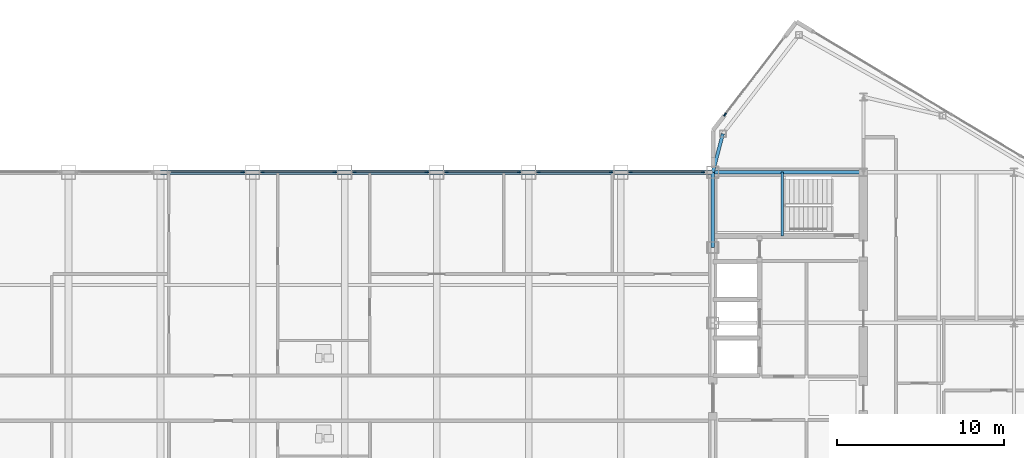
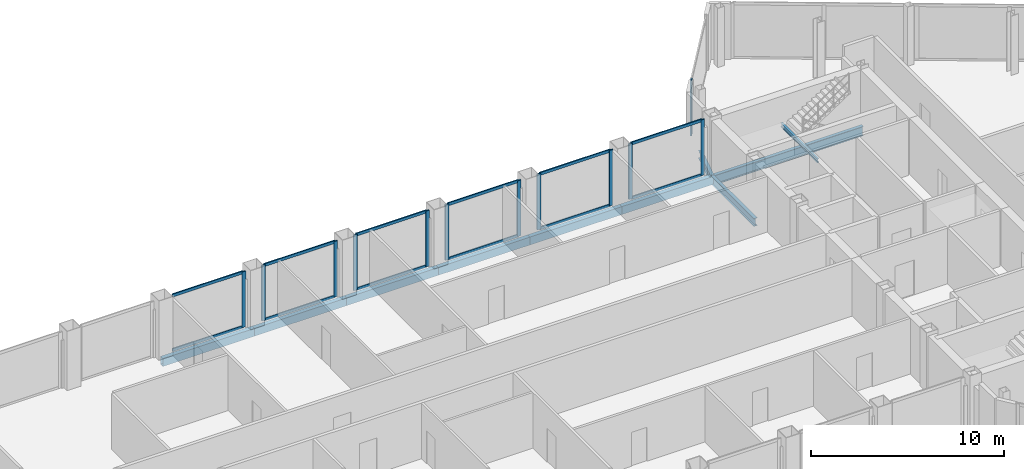
# One storey, part 16 of 29: 24 members, 10 beams, 7 elements without a shape of their own.
"""IFC4 building model written with IfcOpenShell, lengths in metres."""

from ifc_helpers import new_model, si_unit, direction, frame, origin, origin_2d, place, context, subcontext, project, spatial, rectangle, hollow_rectangle, i_section, extrude, source, transform, mapped, material, layer, layer_set, material_profile, profile_set, type_object, type_shapes, element, aggregate, save


model = new_model("IFC4")

# Units and contexts
model_context = context("Model", 3, precision=1e-05, world=origin(), true_north=direction((0.0, 1.0)))
body_context = subcontext(model_context, "Body", "Model", "MODEL_VIEW")
ifc_project = project(units=[si_unit("LENGTHUNIT", "METRE"), si_unit("AREAUNIT", "SQUARE_METRE"), si_unit("VOLUMEUNIT", "CUBIC_METRE"), si_unit("PLANEANGLEUNIT", "RADIAN"), si_unit("MASSUNIT", "GRAM", prefix="KILO")], contexts=[model_context])

# Site, building, storey
site_placement = place(None, origin())
site = spatial("IfcSite", under=ifc_project, at=site_placement, CompositionType="ELEMENT")
building_placement = place(site_placement, origin())
building = spatial("IfcBuilding", under=site, at=building_placement, Name="Seokmaru Belvedere", CompositionType="ELEMENT")
storey_placement = place(building_placement, frame((0.0, 0.0, 246.89990234375)))
storey = spatial("IfcBuildingStorey", under=building, at=storey_placement, Name="L65", CompositionType="ELEMENT", Elevation=246.89990234375)

# Beams
ifc_material_1 = material(Name="Steel SM355 (355 MPa)", Category="steel")
ifc_material_profile_1 = material_profile(ifc_material_1, i_section(OverallWidth=0.199951171875, OverallDepth=0.5, WebThickness=0.010009765625, FlangeThickness=0.01611328125, at=origin_2d()), Name="H-500x200x10x16")
ifc_profile_set_1 = profile_set([ifc_material_profile_1], Name="Steel SM355 (355 MPa)")
beam_type_1 = type_object("IfcBeamType", Name="Perimeter Spandrel Beam H-500", PredefinedType="SPANDREL", material=ifc_profile_set_1)
shared_shape_1 = source(origin(), body_context, "Body", "SweptSolid", [
    extrude(i_section(OverallWidth=0.199951171875, OverallDepth=0.5, WebThickness=0.010009765625, FlangeThickness=0.01611328125, at=origin_2d()), origin(), (0.0, 0.0, 1.0), 4.5),
])
beam_1_placement = place(storey_placement, frame((27.5, 9.0, -0.469970703125), z_axis=(0.0, 1.0, 0.0), x_axis=(-1.0, 0.0, 0.0)))
element("IfcBeam", 1, at=beam_1_placement, inside=storey, type_object=beam_type_1, Name="L65 E Portal Spine Spandrel 5", PredefinedType="SPANDREL", context=body_context, shape_type="MappedRepresentation", body=[
    mapped(shared_shape_1, transform((0.0, 0.0, 0.0), scale=1.0)),
])
ifc_material_profile_2 = material_profile(ifc_material_1, i_section(OverallWidth=0.199951171875, OverallDepth=0.60009765625, WebThickness=0.010986328125, FlangeThickness=0.01708984375, at=origin_2d()), Name="H-600x200x11x17")
ifc_profile_set_2 = profile_set([ifc_material_profile_2], Name="Steel SM355 (355 MPa)")
beam_type_2 = type_object("IfcBeamType", Name="Primary Floor Girder H-600", PredefinedType="BEAM", material=ifc_profile_set_2)
shared_shape_2 = source(origin(), body_context, "Body", "SweptSolid", [
    extrude(i_section(OverallWidth=0.199951171875, OverallDepth=0.60009765625, WebThickness=0.010986328125, FlangeThickness=0.01708984375, at=origin_2d()), origin(), (0.0, 0.0, 1.0), 9.0),
])
type_shapes(beam_type_2, [shared_shape_2])
beam_2_placement = place(storey_placement, frame((27.5, 13.5, -0.52001953125), z_axis=(1.0, 0.0, 0.0), x_axis=(0.0, 1.0, 0.0)))
element("IfcBeam", 2, at=beam_2_placement, inside=storey, type_object=beam_type_2, Name="L65 E Core Tie Girder 4", PredefinedType="BEAM", context=body_context, shape_type="MappedRepresentation", body=[
    mapped(shared_shape_2, transform((0.0, 0.0, 0.0), scale=1.0)),
])
shared_shape_3 = source(origin(), body_context, "Body", "SweptSolid", [
    extrude(i_section(OverallWidth=0.199951171875, OverallDepth=0.5, WebThickness=0.010009765625, FlangeThickness=0.01611328125, at=origin_2d()), origin(), (0.0, 0.0, 1.0), 2.373046875),
])
type_shapes(beam_type_1, [shared_shape_1, shared_shape_3])
beam_3_placement = place(storey_placement, frame((28.10009765625, 15.7958984375, -0.469970703125), z_axis=(-0.252882558842, -0.967496982648, 0.0), x_axis=(0.967496982648, -0.252882558842, 0.0)))
element("IfcBeam", 3, at=beam_3_placement, inside=storey, type_object=beam_type_1, Name="L65 E Shoulder Spine Spandrel N", PredefinedType="SPANDREL", context=body_context, shape_type="MappedRepresentation", body=[
    mapped(shared_shape_3, transform((0.0, 0.0, 0.0), scale=1.0)),
])
ifc_material_profile_3 = material_profile(ifc_material_1, hollow_rectangle(XDim=0.25, YDim=0.5, WallThickness=0.013916015625, at=origin_2d()), Name="RHS-500x250x14")
ifc_profile_set_3 = profile_set([ifc_material_profile_3], Name="Steel SM355 (355 MPa)")
beam_type_3 = type_object("IfcBeamType", Name="Bridge Edge Spandrel RHS-500", PredefinedType="SPANDREL", material=ifc_profile_set_3)
shared_shape_4 = source(origin(), body_context, "Body", "SweptSolid", [
    extrude(hollow_rectangle(XDim=0.25, YDim=0.5, WallThickness=0.013916015625, at=origin_2d()), origin(), (0.0, 0.0, 1.0), 5.5),
])
type_shapes(beam_type_3, [shared_shape_4])
for number, where, z_axis, x_axis, name in (
    (4, (-5.5, 13.5, -0.469970703125), (1.0, 0.0, 0.0), (0.0, 1.0, 0.0), "L65 Sky-Gate Bridge Edge Girder N-05"),
    (5, (0.0, 13.5, -0.469970703125), (1.0, 0.0, 0.0), (0.0, 1.0, 0.0), "L65 Sky-Gate Bridge Edge Girder N-06"),
    (6, (5.5, 13.5, -0.469970703125), (1.0, 0.0, 0.0), (0.0, 1.0, 0.0), "L65 Sky-Gate Bridge Edge Girder N-07"),
    (7, (11.0, 13.5, -0.469970703125), (1.0, 0.0, 0.0), (0.0, 1.0, 0.0), "L65 Sky-Gate Bridge Edge Girder N-08"),
    (8, (16.5, 13.5, -0.469970703125), (1.0, 0.0, 0.0), (0.0, 1.0, 0.0), "L65 Sky-Gate Bridge Edge Girder N-09"),
    (9, (22.0, 13.5, -0.469970703125), (1.0, 0.0, 0.0), (0.0, 1.0, 0.0), "L65 Sky-Gate Bridge Edge Girder N-10"),
):
    element("IfcBeam", number, at=place(storey_placement, frame(where, z_axis=z_axis, x_axis=x_axis)), inside=storey, type_object=beam_type_3, Name=name, PredefinedType="SPANDREL", context=body_context, shape_type="MappedRepresentation", body=[
        mapped(shared_shape_4, transform((0.0, 0.0, 0.0), scale=1.0)),
    ])

# Curtain wall, members
ifc_material_2 = material(Name="Bronze Triple Insulating Glass", Category="glass")
ifc_layer = layer(ifc_material_2, 0.219970703125)
ifc_layer_set = layer_set([ifc_layer], Name="Bronze Triple Insulating Glass")
curtain_wall_type = type_object("IfcCurtainWallType", Name="Sky-Gate Bridge Panorama Curtain Wall System CW-6", PredefinedType="NOTDEFINED", material=ifc_layer_set)
curtain_wall_1_placement = place(storey_placement, origin())
curtain_wall_1 = element("IfcCurtainWall", 10, at=curtain_wall_1_placement, inside=storey, type_object=curtain_wall_type, Name="L65 Curtain Wall BR_N05", PredefinedType="NOTDEFINED")
ifc_material_3 = material(Name="Anodised Bronze Aluminium", Category="aluminium")
ifc_material_profile_4 = material_profile(ifc_material_3, rectangle(XDim=0.074951171875, YDim=0.179931640625, at=origin_2d()), Name="CW-T-75x180")
ifc_profile_set_4 = profile_set([ifc_material_profile_4], Name="Anodised Bronze Aluminium")
member_type_1 = type_object("IfcMemberType", Name="Bronze Unitised Transom 75x180", PredefinedType="USERDEFINED", material=ifc_profile_set_4)
shared_shape_5 = source(origin(), body_context, "Body", "SweptSolid", [
    extrude(rectangle(XDim=0.074951171875, YDim=0.179931640625, at=origin_2d()), origin(), (0.0, 0.0, 1.0), 4.240234375),
])
type_shapes(member_type_1, [shared_shape_5])
member_1_placement = place(storey_placement, frame((-0.6298828125, 13.5, 0.03759765625), z_axis=(-1.0, 0.0, 0.0), x_axis=(0.0, -1.0, 0.0)))
member_1 = element("IfcMember", 11, at=member_1_placement, type_object=member_type_1, Name="CW:L65:BR_N05 Continuous Transom 1", ObjectType="TRANSOM", PredefinedType="USERDEFINED", context=body_context, shape_type="MappedRepresentation", body=[
    mapped(shared_shape_5, transform((0.0, 0.0, 0.0), scale=1.0)),
])
member_2_placement = place(storey_placement, frame((-0.6298828125, 13.5, 3.49267578125), z_axis=(-1.0, 0.0, 0.0), x_axis=(0.0, -1.0, 0.0)))
member_2 = element("IfcMember", 12, at=member_2_placement, type_object=member_type_1, Name="CW:L65:BR_N05 Continuous Transom 2", ObjectType="TRANSOM", PredefinedType="USERDEFINED", context=body_context, shape_type="MappedRepresentation", body=[
    mapped(shared_shape_5, transform((0.0, 0.0, 0.0), scale=1.0)),
])

curtain_wall_2_placement = place(storey_placement, origin())
curtain_wall_2 = element("IfcCurtainWall", 13, at=curtain_wall_2_placement, inside=storey, type_object=curtain_wall_type, Name="L65 Curtain Wall BR_N06", PredefinedType="NOTDEFINED")
member_3_placement = place(storey_placement, frame((4.8701171875, 13.5, 0.03759765625), z_axis=(-1.0, 0.0, 0.0), x_axis=(0.0, -1.0, 0.0)))
member_3 = element("IfcMember", 14, at=member_3_placement, type_object=member_type_1, Name="CW:L65:BR_N06 Continuous Transom 1", ObjectType="TRANSOM", PredefinedType="USERDEFINED", context=body_context, shape_type="MappedRepresentation", body=[
    mapped(shared_shape_5, transform((0.0, 0.0, 0.0), scale=1.0)),
])
member_4_placement = place(storey_placement, frame((4.8701171875, 13.5, 3.49267578125), z_axis=(-1.0, 0.0, 0.0), x_axis=(0.0, -1.0, 0.0)))
member_4 = element("IfcMember", 15, at=member_4_placement, type_object=member_type_1, Name="CW:L65:BR_N06 Continuous Transom 2", ObjectType="TRANSOM", PredefinedType="USERDEFINED", context=body_context, shape_type="MappedRepresentation", body=[
    mapped(shared_shape_5, transform((0.0, 0.0, 0.0), scale=1.0)),
])

curtain_wall_3_placement = place(storey_placement, origin())
curtain_wall_3 = element("IfcCurtainWall", 16, at=curtain_wall_3_placement, inside=storey, type_object=curtain_wall_type, Name="L65 Curtain Wall BR_N07", PredefinedType="NOTDEFINED")
member_5_placement = place(storey_placement, frame((10.3701171875, 13.5, 0.03759765625), z_axis=(-1.0, 0.0, 0.0), x_axis=(0.0, -1.0, 0.0)))
member_5 = element("IfcMember", 17, at=member_5_placement, type_object=member_type_1, Name="CW:L65:BR_N07 Continuous Transom 1", ObjectType="TRANSOM", PredefinedType="USERDEFINED", context=body_context, shape_type="MappedRepresentation", body=[
    mapped(shared_shape_5, transform((0.0, 0.0, 0.0), scale=1.0)),
])
member_6_placement = place(storey_placement, frame((10.3701171875, 13.5, 3.49267578125), z_axis=(-1.0, 0.0, 0.0), x_axis=(0.0, -1.0, 0.0)))
member_6 = element("IfcMember", 18, at=member_6_placement, type_object=member_type_1, Name="CW:L65:BR_N07 Continuous Transom 2", ObjectType="TRANSOM", PredefinedType="USERDEFINED", context=body_context, shape_type="MappedRepresentation", body=[
    mapped(shared_shape_5, transform((0.0, 0.0, 0.0), scale=1.0)),
])

curtain_wall_4_placement = place(storey_placement, origin())
curtain_wall_4 = element("IfcCurtainWall", 19, at=curtain_wall_4_placement, inside=storey, type_object=curtain_wall_type, Name="L65 Curtain Wall BR_N08", PredefinedType="NOTDEFINED")
member_7_placement = place(storey_placement, frame((15.8701171875, 13.5, 0.03759765625), z_axis=(-1.0, 0.0, 0.0), x_axis=(0.0, -1.0, 0.0)))
member_7 = element("IfcMember", 20, at=member_7_placement, type_object=member_type_1, Name="CW:L65:BR_N08 Continuous Transom 1", ObjectType="TRANSOM", PredefinedType="USERDEFINED", context=body_context, shape_type="MappedRepresentation", body=[
    mapped(shared_shape_5, transform((0.0, 0.0, 0.0), scale=1.0)),
])
member_8_placement = place(storey_placement, frame((15.8701171875, 13.5, 3.49267578125), z_axis=(-1.0, 0.0, 0.0), x_axis=(0.0, -1.0, 0.0)))
member_8 = element("IfcMember", 21, at=member_8_placement, type_object=member_type_1, Name="CW:L65:BR_N08 Continuous Transom 2", ObjectType="TRANSOM", PredefinedType="USERDEFINED", context=body_context, shape_type="MappedRepresentation", body=[
    mapped(shared_shape_5, transform((0.0, 0.0, 0.0), scale=1.0)),
])

curtain_wall_5_placement = place(storey_placement, origin())
curtain_wall_5 = element("IfcCurtainWall", 22, at=curtain_wall_5_placement, inside=storey, type_object=curtain_wall_type, Name="L65 Curtain Wall BR_N09", PredefinedType="NOTDEFINED")
member_9_placement = place(storey_placement, frame((21.3701171875, 13.5, 0.03759765625), z_axis=(-1.0, 0.0, 0.0), x_axis=(0.0, -1.0, 0.0)))
member_9 = element("IfcMember", 23, at=member_9_placement, type_object=member_type_1, Name="CW:L65:BR_N09 Continuous Transom 1", ObjectType="TRANSOM", PredefinedType="USERDEFINED", context=body_context, shape_type="MappedRepresentation", body=[
    mapped(shared_shape_5, transform((0.0, 0.0, 0.0), scale=1.0)),
])
member_10_placement = place(storey_placement, frame((21.3701171875, 13.5, 3.49267578125), z_axis=(-1.0, 0.0, 0.0), x_axis=(0.0, -1.0, 0.0)))
member_10 = element("IfcMember", 24, at=member_10_placement, type_object=member_type_1, Name="CW:L65:BR_N09 Continuous Transom 2", ObjectType="TRANSOM", PredefinedType="USERDEFINED", context=body_context, shape_type="MappedRepresentation", body=[
    mapped(shared_shape_5, transform((0.0, 0.0, 0.0), scale=1.0)),
])

curtain_wall_6_placement = place(storey_placement, origin())
curtain_wall_6 = element("IfcCurtainWall", 25, at=curtain_wall_6_placement, inside=storey, type_object=curtain_wall_type, Name="L65 Curtain Wall BR_N10", PredefinedType="NOTDEFINED")
member_11_placement = place(storey_placement, frame((26.8701171875, 13.5, 0.03759765625), z_axis=(-1.0, 0.0, 0.0), x_axis=(0.0, -1.0, 0.0)))
member_11 = element("IfcMember", 26, at=member_11_placement, type_object=member_type_1, Name="CW:L65:BR_N10 Continuous Transom 1", ObjectType="TRANSOM", PredefinedType="USERDEFINED", context=body_context, shape_type="MappedRepresentation", body=[
    mapped(shared_shape_5, transform((0.0, 0.0, 0.0), scale=1.0)),
])
member_12_placement = place(storey_placement, frame((26.8701171875, 13.5, 3.49267578125), z_axis=(-1.0, 0.0, 0.0), x_axis=(0.0, -1.0, 0.0)))
member_12 = element("IfcMember", 27, at=member_12_placement, type_object=member_type_1, Name="CW:L65:BR_N10 Continuous Transom 2", ObjectType="TRANSOM", PredefinedType="USERDEFINED", context=body_context, shape_type="MappedRepresentation", body=[
    mapped(shared_shape_5, transform((0.0, 0.0, 0.0), scale=1.0)),
])

# Curtain wall, member
curtain_wall_7_placement = place(storey_placement, origin())
curtain_wall_7 = element("IfcCurtainWall", 28, at=curtain_wall_7_placement, inside=storey, type_object=curtain_wall_type, Name="L65 Curtain Wall EF4", PredefinedType="NOTDEFINED")
ifc_material_profile_5 = material_profile(ifc_material_3, rectangle(XDim=0.080078125, YDim=0.219970703125, at=origin_2d()), Name="CW-M-80x220")
ifc_profile_set_5 = profile_set([ifc_material_profile_5], Name="Anodised Bronze Aluminium")
member_type_2 = type_object("IfcMemberType", Name="Bronze Unitised Mullion 80x220", PredefinedType="MULLION", material=ifc_profile_set_5)
shared_shape_6 = source(origin(), body_context, "Body", "SweptSolid", [
    extrude(rectangle(XDim=0.080078125, YDim=0.219970703125, at=origin_2d()), origin(), (0.0, 0.0, 1.0), 3.530029296875),
])
type_shapes(member_type_2, [shared_shape_6])
member_13_placement = place(storey_placement, frame((28.2255859375, 16.943115234375, 0.0), z_axis=(0.0, 0.0, 1.0), x_axis=(0.792631353244, -0.609701187349, 0.0)))
member_13 = element("IfcMember", 29, at=member_13_placement, type_object=member_type_2, Name="CW:L65:EF4 Mullion 2", PredefinedType="MULLION", context=body_context, shape_type="MappedRepresentation", body=[
    mapped(shared_shape_6, transform((0.0, 0.0, 0.0), scale=1.0)),
])
aggregate(curtain_wall_7, [member_13])

# Member
member_14_placement = place(storey_placement, frame((-0.590087890625, 13.5, 0.0), z_axis=(0.0, 0.0, 1.0), x_axis=(0.0, -1.0, 0.0)))
member_14 = element("IfcMember", 30, at=member_14_placement, type_object=member_type_2, Name="CW:L65:BR_N05 Mullion 1", PredefinedType="MULLION", context=body_context, shape_type="MappedRepresentation", body=[
    mapped(shared_shape_6, transform((0.0, 0.0, 0.0), scale=1.0)),
])

aggregate(curtain_wall_1, [member_14, member_1, member_2])

member_15_placement = place(storey_placement, frame((4.909912109375, 13.5, 0.0), z_axis=(0.0, 0.0, 1.0), x_axis=(0.0, -1.0, 0.0)))
member_15 = element("IfcMember", 31, at=member_15_placement, type_object=member_type_2, Name="CW:L65:BR_N06 Mullion 1", PredefinedType="MULLION", context=body_context, shape_type="MappedRepresentation", body=[
    mapped(shared_shape_6, transform((0.0, 0.0, 0.0), scale=1.0)),
])

member_16_placement = place(storey_placement, frame((0.590087890625, 13.5, 0.0), z_axis=(0.0, 0.0, 1.0), x_axis=(0.0, -1.0, 0.0)))
member_16 = element("IfcMember", 32, at=member_16_placement, type_object=member_type_2, Name="CW:L65:BR_N06 Mullion 2", PredefinedType="MULLION", context=body_context, shape_type="MappedRepresentation", body=[
    mapped(shared_shape_6, transform((0.0, 0.0, 0.0), scale=1.0)),
])

aggregate(curtain_wall_2, [member_15, member_16, member_3, member_4])

member_17_placement = place(storey_placement, frame((10.409912109375, 13.5, 0.0), z_axis=(0.0, 0.0, 1.0), x_axis=(0.0, -1.0, 0.0)))
member_17 = element("IfcMember", 33, at=member_17_placement, type_object=member_type_2, Name="CW:L65:BR_N07 Mullion 1", PredefinedType="MULLION", context=body_context, shape_type="MappedRepresentation", body=[
    mapped(shared_shape_6, transform((0.0, 0.0, 0.0), scale=1.0)),
])

member_18_placement = place(storey_placement, frame((6.090087890625, 13.5, 0.0), z_axis=(0.0, 0.0, 1.0), x_axis=(0.0, -1.0, 0.0)))
member_18 = element("IfcMember", 34, at=member_18_placement, type_object=member_type_2, Name="CW:L65:BR_N07 Mullion 2", PredefinedType="MULLION", context=body_context, shape_type="MappedRepresentation", body=[
    mapped(shared_shape_6, transform((0.0, 0.0, 0.0), scale=1.0)),
])

aggregate(curtain_wall_3, [member_17, member_18, member_5, member_6])

member_19_placement = place(storey_placement, frame((15.909912109375, 13.5, 0.0), z_axis=(0.0, 0.0, 1.0), x_axis=(0.0, -1.0, 0.0)))
member_19 = element("IfcMember", 35, at=member_19_placement, type_object=member_type_2, Name="CW:L65:BR_N08 Mullion 1", PredefinedType="MULLION", context=body_context, shape_type="MappedRepresentation", body=[
    mapped(shared_shape_6, transform((0.0, 0.0, 0.0), scale=1.0)),
])

member_20_placement = place(storey_placement, frame((11.590087890625, 13.5, 0.0), z_axis=(0.0, 0.0, 1.0), x_axis=(0.0, -1.0, 0.0)))
member_20 = element("IfcMember", 36, at=member_20_placement, type_object=member_type_2, Name="CW:L65:BR_N08 Mullion 2", PredefinedType="MULLION", context=body_context, shape_type="MappedRepresentation", body=[
    mapped(shared_shape_6, transform((0.0, 0.0, 0.0), scale=1.0)),
])

aggregate(curtain_wall_4, [member_19, member_20, member_7, member_8])

member_21_placement = place(storey_placement, frame((21.409912109375, 13.5, 0.0), z_axis=(0.0, 0.0, 1.0), x_axis=(0.0, -1.0, 0.0)))
member_21 = element("IfcMember", 37, at=member_21_placement, type_object=member_type_2, Name="CW:L65:BR_N09 Mullion 1", PredefinedType="MULLION", context=body_context, shape_type="MappedRepresentation", body=[
    mapped(shared_shape_6, transform((0.0, 0.0, 0.0), scale=1.0)),
])

member_22_placement = place(storey_placement, frame((17.090087890625, 13.5, 0.0), z_axis=(0.0, 0.0, 1.0), x_axis=(0.0, -1.0, 0.0)))
member_22 = element("IfcMember", 38, at=member_22_placement, type_object=member_type_2, Name="CW:L65:BR_N09 Mullion 2", PredefinedType="MULLION", context=body_context, shape_type="MappedRepresentation", body=[
    mapped(shared_shape_6, transform((0.0, 0.0, 0.0), scale=1.0)),
])

aggregate(curtain_wall_5, [member_21, member_22, member_9, member_10])

member_23_placement = place(storey_placement, frame((26.909912109375, 13.5, 0.0), z_axis=(0.0, 0.0, 1.0), x_axis=(0.0, -1.0, 0.0)))
member_23 = element("IfcMember", 39, at=member_23_placement, type_object=member_type_2, Name="CW:L65:BR_N10 Mullion 1", PredefinedType="MULLION", context=body_context, shape_type="MappedRepresentation", body=[
    mapped(shared_shape_6, transform((0.0, 0.0, 0.0), scale=1.0)),
])

member_24_placement = place(storey_placement, frame((22.590087890625, 13.5, 0.0), z_axis=(0.0, 0.0, 1.0), x_axis=(0.0, -1.0, 0.0)))
member_24 = element("IfcMember", 40, at=member_24_placement, type_object=member_type_2, Name="CW:L65:BR_N10 Mullion 2", PredefinedType="MULLION", context=body_context, shape_type="MappedRepresentation", body=[
    mapped(shared_shape_6, transform((0.0, 0.0, 0.0), scale=1.0)),
])

aggregate(curtain_wall_6, [member_23, member_24, member_11, member_12])

# Beam
ifc_material_profile_6 = material_profile(ifc_material_1, i_section(OverallWidth=0.125, OverallDepth=0.25, WebThickness=0.006103515625, FlangeThickness=0.009033203125, at=origin_2d()), Name="H-250x125x6x9")
ifc_profile_set_6 = profile_set([ifc_material_profile_6], Name="Steel SM355 (355 MPa)")
beam_type_4 = type_object("IfcBeamType", Name="Stair Mid-Landing Support Beam H-250", PredefinedType="JOIST", material=ifc_profile_set_6)
shared_shape_7 = source(origin(), body_context, "Body", "SweptSolid", [
    extrude(i_section(OverallWidth=0.125, OverallDepth=0.25, WebThickness=0.006103515625, FlangeThickness=0.009033203125, at=origin_2d()), origin(), (0.0, 0.0, 1.0), 3.800048828125),
])
type_shapes(beam_type_4, [shared_shape_7])
beam_4_placement = place(storey_placement, frame((31.64990234375, 9.699951171875, 1.550048828125), z_axis=(0.0, 1.0, 0.0), x_axis=(-1.0, 0.0, 0.0)))
element("IfcBeam", 41, at=beam_4_placement, inside=storey, type_object=beam_type_4, Name="L65 Stair ST-E2 Mid-Landing Support Beam 1", PredefinedType="JOIST", context=body_context, shape_type="MappedRepresentation", body=[
    mapped(shared_shape_7, transform((0.0, 0.0, 0.0), scale=1.0)),
])

save(model, "model.ifc")
